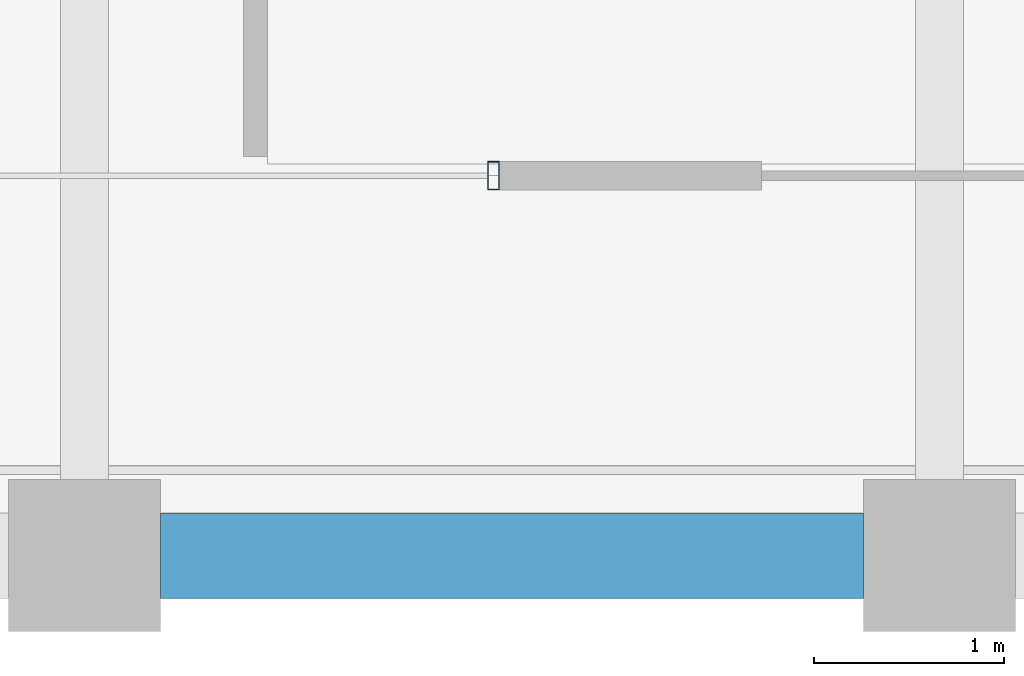
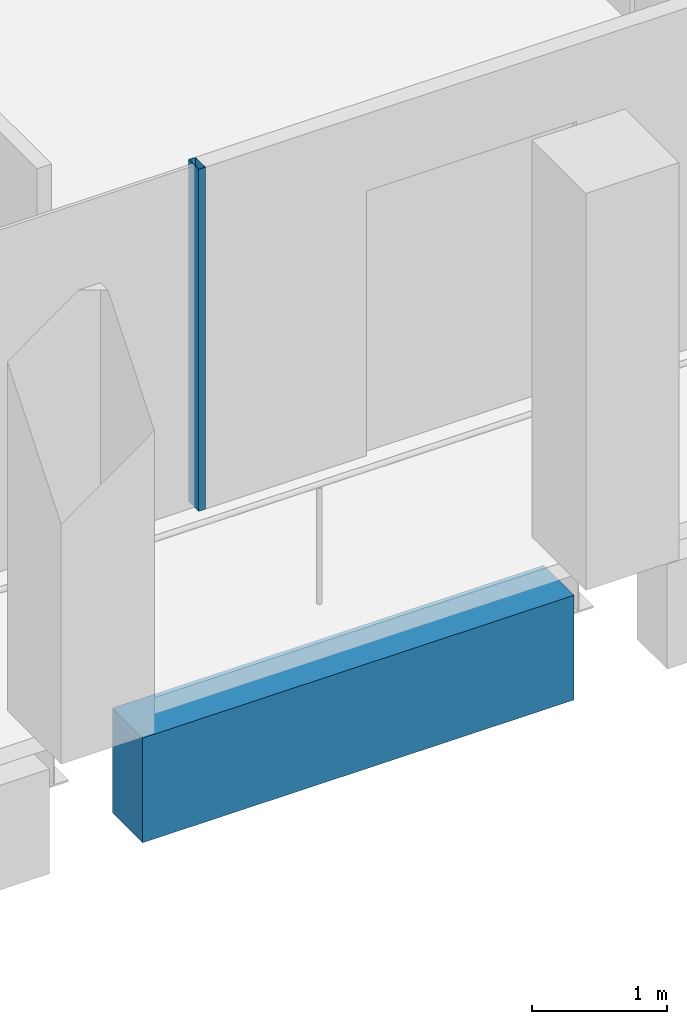
# One storey, part 7 of 30: 1 beam, 1 member, 1 element without a shape of its own.
"""IFC4 building model written with IfcOpenShell, lengths in metres."""

import ifcopenshell
import ifcopenshell.guid

model = None  # the IFC model being written
_history = None  # IfcOwnerHistory: only IFC2X3 demands one
_inside = {}  # id of a spatial element -> (the spatial element, [elements in it])
_under = {}  # id of a project, library or spatial element -> (it, [spatial elements below it])
_declared = {}  # id of a project -> (the project, [libraries it declares])
_typed = {}  # id of a type object -> (the type object, [elements of that type])
_made_of = {}  # id of a material, layer set ... -> (it, [elements and type objects made of it])


def new_model(schema):
    """Start an empty IFC model of exactly this schema.

    Asked for "IFC4X3", IfcOpenShell would pick the latest addendum, in which some entities
    have other attributes; the version numbers below select the first issue.
    IFC2X3 requires an IfcOwnerHistory on every rooted entity: one is made here for all.
    """
    global model, _history
    if schema == "IFC4X3":
        model = ifcopenshell.file(schema_version=(4, 3, 0, 0))
    else:
        model = ifcopenshell.file(schema=schema)
    _inside.clear()
    _under.clear()
    _declared.clear()
    _typed.clear()
    _made_of.clear()
    _history = None
    if model.schema == "IFC2X3":
        org = make("IfcOrganization", Name="unknown")
        user = make(
            "IfcPersonAndOrganization",
            ThePerson=make("IfcPerson", FamilyName="unknown"),
            TheOrganization=org,
        )
        app = make(
            "IfcApplication",
            ApplicationDeveloper=org,
            Version="unknown",
            ApplicationFullName="unknown",
            ApplicationIdentifier="unknown",
        )
        _history = make(
            "IfcOwnerHistory",
            OwningUser=user,
            OwningApplication=app,
            ChangeAction="ADDED",
            CreationDate=0,
        )
    return model


def make(cls, **values):
    """One entity of the class cls with the attributes given. An attribute that is None is left unset."""
    return model.create_entity(
        cls, **{name: value for name, value in values.items() if value is not None}
    )


def rooted(cls, **values):
    """An entity with a GlobalId (a new one), such as an element, a storey or a relation."""
    return make(cls, GlobalId=ifcopenshell.guid.new(), OwnerHistory=_history, **values)


def si_unit(unit_type, name, prefix=None):
    """IfcSIUnit, for example si_unit("LENGTHUNIT", "METRE", prefix="MILLI")."""
    return make("IfcSIUnit", UnitType=unit_type, Prefix=prefix, Name=name)


def assignment(units):
    """IfcUnitAssignment: the units of a project."""
    return None if units is None else make("IfcUnitAssignment", Units=units)


def point(xyz):
    """IfcCartesianPoint."""
    return None if xyz is None else make("IfcCartesianPoint", Coordinates=xyz)


def direction(xyz):
    """IfcDirection."""
    return None if xyz is None else make("IfcDirection", DirectionRatios=xyz)


def frame(location, z_axis=None, x_axis=None):
    """IfcAxis2Placement3D, a coordinate frame: its origin and axes. An axis left out is left unset."""
    return make(
        "IfcAxis2Placement3D",
        Location=point(location),
        Axis=direction(z_axis),
        RefDirection=direction(x_axis),
    )


def frame_2d(location, x_axis=None):
    """IfcAxis2Placement2D, a coordinate frame in the plane: its origin and x axis."""
    return make(
        "IfcAxis2Placement2D", Location=point(location), RefDirection=direction(x_axis)
    )


def origin():
    """The frame at (0, 0, 0) with its axes left unset."""
    return frame((0.0, 0.0, 0.0))


def origin_2d():
    """The frame at (0, 0) in the plane with its x axis left unset."""
    return frame_2d((0.0, 0.0))


def place(relative_to, where):
    """IfcLocalPlacement: puts the frame where relative to a parent placement (None: the world)."""
    return make(
        "IfcLocalPlacement", PlacementRelTo=relative_to, RelativePlacement=where
    )


def context(
    kind, dimensions, precision=None, world=None, true_north=None, identifier=None
):
    """IfcGeometricRepresentationContext, for example the 3D "Model" context."""
    return make(
        "IfcGeometricRepresentationContext",
        ContextIdentifier=identifier,
        ContextType=kind,
        CoordinateSpaceDimension=dimensions,
        Precision=precision,
        WorldCoordinateSystem=world,
        TrueNorth=true_north,
    )


def subcontext(parent, identifier, kind, view, scale=None):
    """IfcGeometricRepresentationSubContext, for example "Body" below "Model"."""
    return make(
        "IfcGeometricRepresentationSubContext",
        ContextIdentifier=identifier,
        ContextType=kind,
        ParentContext=parent,
        TargetScale=scale,
        TargetView=view,
    )


def project(units=None, contexts=None):
    """IfcProject with its units and contexts."""
    return rooted(
        "IfcProject",
        Name="project",
        RepresentationContexts=contexts,
        UnitsInContext=assignment(units),
    )


def spatial(cls, under=None, at=None, **own):
    """A site, building, storey or space (cls), placed at a placement, below another one or the project."""
    s = rooted(cls, ObjectPlacement=at, **own)
    if under is not None:
        _under.setdefault(under.id(), (under, []))[1].append(s)
    return s


def profile(cls, at=None, kind="AREA", **sizes):
    """A parametric profile (cls). Its sizes go by their IFC names, for example OverallWidth=200.0."""
    return make(cls, ProfileType=kind, Position=at, **sizes)


def rectangle(**sizes):
    """IfcRectangleProfileDef."""
    return profile("IfcRectangleProfileDef", **sizes)


def hollow_rectangle(**sizes):
    """IfcRectangleHollowProfileDef."""
    return profile("IfcRectangleHollowProfileDef", **sizes)


def extrude(swept, where, along, depth):
    """IfcExtrudedAreaSolid: the profile swept, set in the frame where, extruded along a direction by depth."""
    return make(
        "IfcExtrudedAreaSolid",
        SweptArea=swept,
        Position=where,
        ExtrudedDirection=direction(along),
        Depth=depth,
    )


def shape(context_of_items, identifier, shape_type, items):
    """IfcShapeRepresentation: the items that make up one representation, for example the "Body"."""
    return make(
        "IfcShapeRepresentation",
        ContextOfItems=context_of_items,
        RepresentationIdentifier=identifier,
        RepresentationType=shape_type,
        Items=items,
    )


def material(Name=None, Category=None):
    """IfcMaterial."""
    return make("IfcMaterial", Name=Name, Category=Category)


def material_profile(
    of_material, cross_section, Name=None, Category=None, Priority=None
):
    """IfcMaterialProfile: a cross section and its material."""
    return make(
        "IfcMaterialProfile",
        Name=Name,
        Material=of_material,
        Profile=cross_section,
        Priority=Priority,
        Category=Category,
    )


def profile_set(profiles, Name=None, composite=None):
    """IfcMaterialProfileSet."""
    return make(
        "IfcMaterialProfileSet",
        Name=Name,
        MaterialProfiles=profiles,
        CompositeProfile=composite,
    )


def made_of(thing, what):
    """Note that an element or type object is made of a material, layer set ...; save() writes the relation."""
    if what is not None:
        _made_of.setdefault(what.id(), (what, []))[1].append(thing)
    return thing


def type_object(cls, material=None, **own):
    """A type object (cls), such as IfcWallType, which elements share."""
    return made_of(rooted(cls, **own), material)


def element(
    cls,
    number,
    at=None,
    inside=None,
    cuts=None,
    type_object=None,
    material=None,
    context=None,
    identifier="Body",
    shape_type=None,
    held_by="IfcProductDefinitionShape",
    body=None,
    shapes=None,
    **own,
):
    """One element of the class cls, such as IfcWall. Its Tag is "e" and its number.

    at: its placement. inside: the storey or other place that contains it. cuts: it is an
    opening in that element (IfcRelVoidsElement). A single representation is given by context,
    identifier, shape_type and body (its items); several are given by shapes. held_by: the class
    of the entity that holds the representations. save() writes the other relations.
    """
    e = rooted(cls, Tag="e%d" % number, ObjectPlacement=at, **own)
    if body is not None:
        shapes = [shape(context, identifier, shape_type, body)]
    if shapes is not None:
        e.Representation = make(held_by, Representations=shapes)
    if inside is not None:
        _inside.setdefault(inside.id(), (inside, []))[1].append(e)
    if cuts is not None:
        rooted(
            "IfcRelVoidsElement", RelatingBuildingElement=cuts, RelatedOpeningElement=e
        )
    if type_object is not None:
        _typed.setdefault(type_object.id(), (type_object, []))[1].append(e)
    return made_of(e, material)


def aggregate(whole, parts):
    """IfcRelAggregates: a whole, such as a stair, and the parts it consists of."""
    return rooted("IfcRelAggregates", RelatingObject=whole, RelatedObjects=parts)


def save(model, path):
    """Write the relations noted so far, then the file.

    IfcRelAggregates (storeys below a building ...), IfcRelContainedInSpatialStructure (elements
    in a storey), IfcRelDefinesByType, IfcRelAssociatesMaterial and IfcRelDeclares: one each for
    every whole, place, type object, material and project.
    """
    for whole, parts in _under.values():
        aggregate(whole, parts)
    for where, things in _inside.values():
        rooted(
            "IfcRelContainedInSpatialStructure",
            RelatedElements=things,
            RelatingStructure=where,
        )
    for kind, things in _typed.values():
        rooted("IfcRelDefinesByType", RelatedObjects=things, RelatingType=kind)
    for what, things in _made_of.values():
        rooted("IfcRelAssociatesMaterial", RelatedObjects=things, RelatingMaterial=what)
    for by, libraries in _declared.values():
        rooted("IfcRelDeclares", RelatingContext=by, RelatedDefinitions=libraries)
    model.write(path)


model = new_model("IFC4")

# Units and contexts
model_context = context("Model", 3, precision=1e-05, world=origin(), true_north=direction((0.0, 1.0)))
body_context = subcontext(model_context, "Body", "Model", "MODEL_VIEW")
ifc_project = project(units=[si_unit("LENGTHUNIT", "METRE"), si_unit("AREAUNIT", "SQUARE_METRE"), si_unit("VOLUMEUNIT", "CUBIC_METRE"), si_unit("PLANEANGLEUNIT", "RADIAN"), si_unit("MASSUNIT", "GRAM", prefix="KILO")], contexts=[model_context])

# Site, building, storey
site_placement = place(None, origin())
site = spatial("IfcSite", under=ifc_project, at=site_placement, CompositionType="ELEMENT")
building_placement = place(site_placement, origin())
building = spatial("IfcBuilding", under=site, at=building_placement, Name="Altepetl Exchange Towers", CompositionType="ELEMENT")
storey_placement = place(building_placement, frame((0.0, 0.0, 213.60009765625)))
storey = spatial("IfcBuildingStorey", under=building, at=storey_placement, Name="L54", CompositionType="ELEMENT", Elevation=213.60009765625)

# Curtain wall, member
ifc_material_1 = material(Name="Aluminium 6063-T6 glazing", Category="aluminium")
curtain_wall_type = type_object("IfcCurtainWallType", Name="Loggia glazing system", PredefinedType="NOTDEFINED", material=ifc_material_1)
curtain_wall_placement = place(storey_placement, origin())
curtain_wall = element("IfcCurtainWall", 1, at=curtain_wall_placement, inside=storey, type_object=curtain_wall_type, Name="CW1 run", PredefinedType="NOTDEFINED")
ifc_material_2 = material(Name="Aluminium 6063-T6", Category="aluminium")
ifc_material_profile_1 = material_profile(ifc_material_2, hollow_rectangle(XDim=0.06005859375, YDim=0.14990234375, WallThickness=0.0029296875, at=origin_2d()), Name="Mullion 60x150 aluminium")
ifc_profile_set_1 = profile_set([ifc_material_profile_1], Name="Aluminium 6063-T6")
member_type = type_object("IfcMemberType", Name="Mullion 60x150 aluminium", PredefinedType="MULLION", material=ifc_profile_set_1)
member_placement = place(storey_placement, frame((47.152099609375, 29.0, 0.0)))
member = element("IfcMember", 2, at=member_placement, type_object=member_type, Name="MU1 mullion", PredefinedType="MULLION", context=body_context, shape_type="SweptSolid", body=[
    extrude(hollow_rectangle(XDim=0.06005859375, YDim=0.14990234375, WallThickness=0.0029296875, at=origin_2d()), origin(), (0.0, 0.0, 1.0), 3.099853515625),
])
aggregate(curtain_wall, [member])

# Beam
ifc_material_3 = material(Name="Concrete C50/60 precast with cantera blanca facing", Category="concrete")
ifc_material_profile_2 = material_profile(ifc_material_3, rectangle(XDim=0.449951171875, YDim=0.949951171875, at=origin_2d()), Name="450 x 950")
ifc_profile_set_2 = profile_set([ifc_material_profile_2], Name="Concrete C50/60 precast with cantera blanca facing")
beam_type = type_object("IfcBeamType", Name="Spandrel beam 450x950 cantera blanca", PredefinedType="SPANDREL", material=ifc_profile_set_2)
beam_placement = place(storey_placement, frame((45.39990234375, 27.0, -0.625), z_axis=(1.0, 0.0, 0.0), x_axis=(0.0, 1.0, 0.0)))
element("IfcBeam", 3, at=beam_placement, inside=storey, type_object=beam_type, Name="sp:A:L54:003", PredefinedType="SPANDREL", context=body_context, shape_type="SweptSolid", body=[
    extrude(rectangle(XDim=0.449951171875, YDim=0.949951171875, at=origin_2d()), origin(), (0.0, 0.0, 1.0), 3.7001953125),
])

save(model, "model.ifc")
